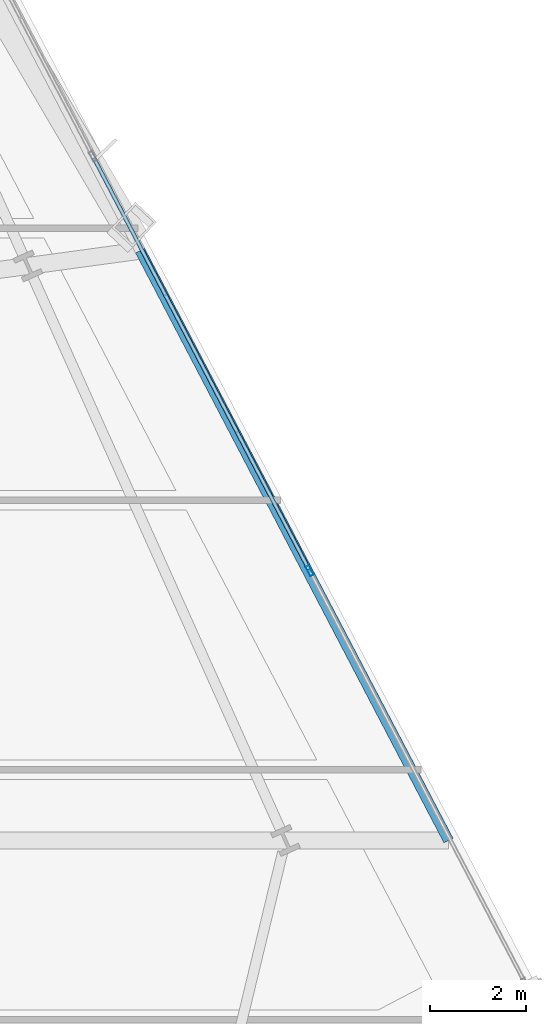
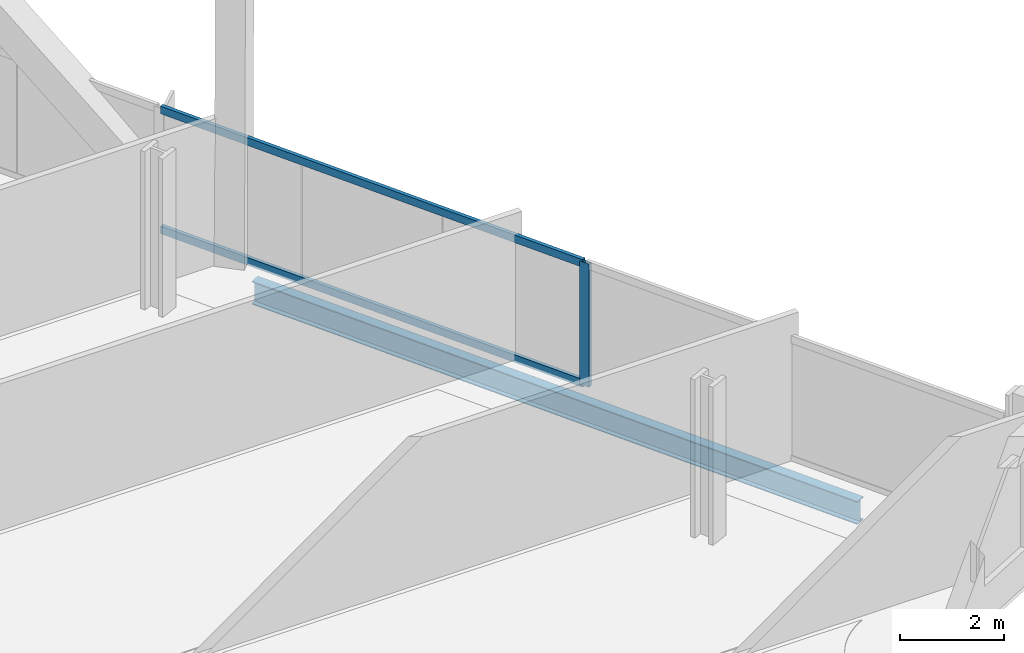
# One storey, part 20 of 33: 3 members, 1 beam, 1 element without a shape of its own.
"""IFC4 building model written with IfcOpenShell, lengths in metres."""

import ifcopenshell
import ifcopenshell.guid

model = None  # the IFC model being written
_history = None  # IfcOwnerHistory: only IFC2X3 demands one
_inside = {}  # id of a spatial element -> (the spatial element, [elements in it])
_under = {}  # id of a project, library or spatial element -> (it, [spatial elements below it])
_declared = {}  # id of a project -> (the project, [libraries it declares])
_typed = {}  # id of a type object -> (the type object, [elements of that type])
_made_of = {}  # id of a material, layer set ... -> (it, [elements and type objects made of it])


def new_model(schema):
    """Start an empty IFC model of exactly this schema.

    Asked for "IFC4X3", IfcOpenShell would pick the latest addendum, in which some entities
    have other attributes; the version numbers below select the first issue.
    IFC2X3 requires an IfcOwnerHistory on every rooted entity: one is made here for all.
    """
    global model, _history
    if schema == "IFC4X3":
        model = ifcopenshell.file(schema_version=(4, 3, 0, 0))
    else:
        model = ifcopenshell.file(schema=schema)
    _inside.clear()
    _under.clear()
    _declared.clear()
    _typed.clear()
    _made_of.clear()
    _history = None
    if model.schema == "IFC2X3":
        org = make("IfcOrganization", Name="unknown")
        user = make(
            "IfcPersonAndOrganization",
            ThePerson=make("IfcPerson", FamilyName="unknown"),
            TheOrganization=org,
        )
        app = make(
            "IfcApplication",
            ApplicationDeveloper=org,
            Version="unknown",
            ApplicationFullName="unknown",
            ApplicationIdentifier="unknown",
        )
        _history = make(
            "IfcOwnerHistory",
            OwningUser=user,
            OwningApplication=app,
            ChangeAction="ADDED",
            CreationDate=0,
        )
    return model


def make(cls, **values):
    """One entity of the class cls with the attributes given. An attribute that is None is left unset."""
    return model.create_entity(
        cls, **{name: value for name, value in values.items() if value is not None}
    )


def rooted(cls, **values):
    """An entity with a GlobalId (a new one), such as an element, a storey or a relation."""
    return make(cls, GlobalId=ifcopenshell.guid.new(), OwnerHistory=_history, **values)


def si_unit(unit_type, name, prefix=None):
    """IfcSIUnit, for example si_unit("LENGTHUNIT", "METRE", prefix="MILLI")."""
    return make("IfcSIUnit", UnitType=unit_type, Prefix=prefix, Name=name)


def assignment(units):
    """IfcUnitAssignment: the units of a project."""
    return None if units is None else make("IfcUnitAssignment", Units=units)


def point(xyz):
    """IfcCartesianPoint."""
    return None if xyz is None else make("IfcCartesianPoint", Coordinates=xyz)


def direction(xyz):
    """IfcDirection."""
    return None if xyz is None else make("IfcDirection", DirectionRatios=xyz)


def frame(location, z_axis=None, x_axis=None):
    """IfcAxis2Placement3D, a coordinate frame: its origin and axes. An axis left out is left unset."""
    return make(
        "IfcAxis2Placement3D",
        Location=point(location),
        Axis=direction(z_axis),
        RefDirection=direction(x_axis),
    )


def frame_2d(location, x_axis=None):
    """IfcAxis2Placement2D, a coordinate frame in the plane: its origin and x axis."""
    return make(
        "IfcAxis2Placement2D", Location=point(location), RefDirection=direction(x_axis)
    )


def origin():
    """The frame at (0, 0, 0) with its axes left unset."""
    return frame((0.0, 0.0, 0.0))


def origin_2d():
    """The frame at (0, 0) in the plane with its x axis left unset."""
    return frame_2d((0.0, 0.0))


def place(relative_to, where):
    """IfcLocalPlacement: puts the frame where relative to a parent placement (None: the world)."""
    return make(
        "IfcLocalPlacement", PlacementRelTo=relative_to, RelativePlacement=where
    )


def context(
    kind, dimensions, precision=None, world=None, true_north=None, identifier=None
):
    """IfcGeometricRepresentationContext, for example the 3D "Model" context."""
    return make(
        "IfcGeometricRepresentationContext",
        ContextIdentifier=identifier,
        ContextType=kind,
        CoordinateSpaceDimension=dimensions,
        Precision=precision,
        WorldCoordinateSystem=world,
        TrueNorth=true_north,
    )


def subcontext(parent, identifier, kind, view, scale=None):
    """IfcGeometricRepresentationSubContext, for example "Body" below "Model"."""
    return make(
        "IfcGeometricRepresentationSubContext",
        ContextIdentifier=identifier,
        ContextType=kind,
        ParentContext=parent,
        TargetScale=scale,
        TargetView=view,
    )


def project(units=None, contexts=None):
    """IfcProject with its units and contexts."""
    return rooted(
        "IfcProject",
        Name="project",
        RepresentationContexts=contexts,
        UnitsInContext=assignment(units),
    )


def spatial(cls, under=None, at=None, **own):
    """A site, building, storey or space (cls), placed at a placement, below another one or the project."""
    s = rooted(cls, ObjectPlacement=at, **own)
    if under is not None:
        _under.setdefault(under.id(), (under, []))[1].append(s)
    return s


def profile(cls, at=None, kind="AREA", **sizes):
    """A parametric profile (cls). Its sizes go by their IFC names, for example OverallWidth=200.0."""
    return make(cls, ProfileType=kind, Position=at, **sizes)


def hollow_rectangle(**sizes):
    """IfcRectangleHollowProfileDef."""
    return profile("IfcRectangleHollowProfileDef", **sizes)


def i_section(**sizes):
    """IfcIShapeProfileDef."""
    return profile("IfcIShapeProfileDef", **sizes)


def extrude(swept, where, along, depth):
    """IfcExtrudedAreaSolid: the profile swept, set in the frame where, extruded along a direction by depth."""
    return make(
        "IfcExtrudedAreaSolid",
        SweptArea=swept,
        Position=where,
        ExtrudedDirection=direction(along),
        Depth=depth,
    )


def shape(context_of_items, identifier, shape_type, items):
    """IfcShapeRepresentation: the items that make up one representation, for example the "Body"."""
    return make(
        "IfcShapeRepresentation",
        ContextOfItems=context_of_items,
        RepresentationIdentifier=identifier,
        RepresentationType=shape_type,
        Items=items,
    )


def material(Name=None, Category=None):
    """IfcMaterial."""
    return make("IfcMaterial", Name=Name, Category=Category)


def material_profile(
    of_material, cross_section, Name=None, Category=None, Priority=None
):
    """IfcMaterialProfile: a cross section and its material."""
    return make(
        "IfcMaterialProfile",
        Name=Name,
        Material=of_material,
        Profile=cross_section,
        Priority=Priority,
        Category=Category,
    )


def profile_set(profiles, Name=None, composite=None):
    """IfcMaterialProfileSet."""
    return make(
        "IfcMaterialProfileSet",
        Name=Name,
        MaterialProfiles=profiles,
        CompositeProfile=composite,
    )


def made_of(thing, what):
    """Note that an element or type object is made of a material, layer set ...; save() writes the relation."""
    if what is not None:
        _made_of.setdefault(what.id(), (what, []))[1].append(thing)
    return thing


def type_object(cls, material=None, **own):
    """A type object (cls), such as IfcWallType, which elements share."""
    return made_of(rooted(cls, **own), material)


def element(
    cls,
    number,
    at=None,
    inside=None,
    cuts=None,
    type_object=None,
    material=None,
    context=None,
    identifier="Body",
    shape_type=None,
    held_by="IfcProductDefinitionShape",
    body=None,
    shapes=None,
    **own,
):
    """One element of the class cls, such as IfcWall. Its Tag is "e" and its number.

    at: its placement. inside: the storey or other place that contains it. cuts: it is an
    opening in that element (IfcRelVoidsElement). A single representation is given by context,
    identifier, shape_type and body (its items); several are given by shapes. held_by: the class
    of the entity that holds the representations. save() writes the other relations.
    """
    e = rooted(cls, Tag="e%d" % number, ObjectPlacement=at, **own)
    if body is not None:
        shapes = [shape(context, identifier, shape_type, body)]
    if shapes is not None:
        e.Representation = make(held_by, Representations=shapes)
    if inside is not None:
        _inside.setdefault(inside.id(), (inside, []))[1].append(e)
    if cuts is not None:
        rooted(
            "IfcRelVoidsElement", RelatingBuildingElement=cuts, RelatedOpeningElement=e
        )
    if type_object is not None:
        _typed.setdefault(type_object.id(), (type_object, []))[1].append(e)
    return made_of(e, material)


def aggregate(whole, parts):
    """IfcRelAggregates: a whole, such as a stair, and the parts it consists of."""
    return rooted("IfcRelAggregates", RelatingObject=whole, RelatedObjects=parts)


def save(model, path):
    """Write the relations noted so far, then the file.

    IfcRelAggregates (storeys below a building ...), IfcRelContainedInSpatialStructure (elements
    in a storey), IfcRelDefinesByType, IfcRelAssociatesMaterial and IfcRelDeclares: one each for
    every whole, place, type object, material and project.
    """
    for whole, parts in _under.values():
        aggregate(whole, parts)
    for where, things in _inside.values():
        rooted(
            "IfcRelContainedInSpatialStructure",
            RelatedElements=things,
            RelatingStructure=where,
        )
    for kind, things in _typed.values():
        rooted("IfcRelDefinesByType", RelatedObjects=things, RelatingType=kind)
    for what, things in _made_of.values():
        rooted("IfcRelAssociatesMaterial", RelatedObjects=things, RelatingMaterial=what)
    for by, libraries in _declared.values():
        rooted("IfcRelDeclares", RelatingContext=by, RelatedDefinitions=libraries)
    model.write(path)


model = new_model("IFC4")

# Units and contexts
model_context = context("Model", 3, precision=1e-05, world=origin(), true_north=direction((0.0, 1.0)))
body_context = subcontext(model_context, "Body", "Model", "MODEL_VIEW")
ifc_project = project(units=[si_unit("LENGTHUNIT", "METRE"), si_unit("AREAUNIT", "SQUARE_METRE"), si_unit("VOLUMEUNIT", "CUBIC_METRE"), si_unit("PLANEANGLEUNIT", "RADIAN"), si_unit("MASSUNIT", "GRAM", prefix="KILO")], contexts=[model_context])

# Site, building, storey
site_placement = place(None, origin())
site = spatial("IfcSite", under=ifc_project, at=site_placement, CompositionType="ELEMENT")
building_placement = place(site_placement, origin())
building = spatial("IfcBuilding", under=site, at=building_placement, Name="Haldenkirk Collegiate Tower", CompositionType="ELEMENT")
storey_placement = place(building_placement, frame((0.0, 0.0, 120.449951171875)))
storey = spatial("IfcBuildingStorey", under=building, at=storey_placement, Name="L29", CompositionType="ELEMENT", Elevation=120.449951171875)

# Beam
ifc_material_1 = material(Name="Steel ASTM A992 Grade 50", Category="steel")
ifc_material_profile_1 = material_profile(ifc_material_1, i_section(OverallWidth=0.2119140625, OverallDepth=0.5439453125, WebThickness=0.01318359375, FlangeThickness=0.021240234375, at=origin_2d()), Name="W21X83")
ifc_profile_set_1 = profile_set([ifc_material_profile_1], Name="Steel ASTM A992 Grade 50")
beam_type = type_object("IfcBeamType", Name="BM-SPANDREL-W21X83", PredefinedType="SPANDREL", material=ifc_profile_set_1)
beam_placement = place(storey_placement, frame((65.996337890625, 23.727294921875, -0.572021484375), z_axis=(-0.46329516859, 0.886204032241, 0.0), x_axis=(-0.886204032241, -0.46329516859, 0.0)))
element("IfcBeam", 1, at=beam_placement, inside=storey, type_object=beam_type, Name="L29 outer facade edge beam 2A", PredefinedType="SPANDREL", context=body_context, shape_type="SweptSolid", body=[
    extrude(i_section(OverallWidth=0.2119140625, OverallDepth=0.5439453125, WebThickness=0.01318359375, FlangeThickness=0.021240234375, at=origin_2d()), origin(), (0.0, 0.0, 1.0), 13.831298828125),
])

# Curtain wall, members
ifc_material_2 = material(Name="Anodised architectural bronze aluminium", Category="aluminium")
curtain_wall_type = type_object("IfcCurtainWallType", Name="CW-SYS1-CONVEX-LOW", PredefinedType="USERDEFINED", material=ifc_material_2)
curtain_wall_placement = place(storey_placement, origin())
curtain_wall = element("IfcCurtainWall", 2, at=curtain_wall_placement, inside=storey, type_object=curtain_wall_type, Name="L29 Lower tower convex bronze-framed unitised curtain wall", ObjectType="UNITISED CURTAIN WALL", PredefinedType="USERDEFINED")
ifc_material_profile_2 = material_profile(ifc_material_2, hollow_rectangle(XDim=0.080078125, YDim=0.219970703125, WallThickness=0.0048828125, at=origin_2d()), Name="CW-MUL-1A")
ifc_profile_set_2 = profile_set([ifc_material_profile_2], Name="Anodised architectural bronze aluminium")
member_type_1 = type_object("IfcMemberType", Name="CW-MUL-1A", PredefinedType="MULLION", material=ifc_profile_set_2)
member_1_placement = place(storey_placement, frame((63.11083984375, 29.33349609375, 0.0), z_axis=(0.0, 0.0, 1.0), x_axis=(0.88620357746, 0.463296038507, 0.0)))
member_1 = element("IfcMember", 3, at=member_1_placement, type_object=member_type_1, Name="CW-1A mullion 4", PredefinedType="MULLION", context=body_context, shape_type="SweptSolid", body=[
    extrude(hollow_rectangle(XDim=0.080078125, YDim=0.219970703125, WallThickness=0.0048828125, at=origin_2d()), origin(), (0.0, 0.0, 1.0), 2.901123046875),
])
ifc_material_profile_3 = material_profile(ifc_material_2, hollow_rectangle(XDim=0.080078125, YDim=0.179931640625, WallThickness=0.0048828125, at=origin_2d()), Name="CW-TRN-1A")
ifc_profile_set_3 = profile_set([ifc_material_profile_3], Name="Anodised architectural bronze aluminium")
member_type_2 = type_object("IfcMemberType", Name="CW-TRN-1A", PredefinedType="USERDEFINED", material=ifc_profile_set_3)
member_2_placement = place(storey_placement, frame((58.626708984375, 37.91064453125, 0.0400390625), z_axis=(0.46330077788, -0.88620109976, 0.0), x_axis=(0.88620109976, 0.46330077788, 0.0)))
member_2 = element("IfcMember", 4, at=member_2_placement, type_object=member_type_2, Name="CW-1A transom 3.1", ObjectType="TRANSOM", PredefinedType="USERDEFINED", context=body_context, shape_type="SweptSolid", body=[
    extrude(hollow_rectangle(XDim=0.080078125, YDim=0.179931640625, WallThickness=0.0048828125, at=origin_2d()), origin(), (0.0, 0.0, 1.0), 9.638671875),
])
member_3_placement = place(storey_placement, frame((58.626708984375, 37.91064453125, 2.861083984375), z_axis=(0.46330077788, -0.88620109976, 0.0), x_axis=(0.88620109976, 0.46330077788, 0.0)))
member_3 = element("IfcMember", 5, at=member_3_placement, type_object=member_type_2, Name="CW-1A transom 3.2", ObjectType="TRANSOM", PredefinedType="USERDEFINED", context=body_context, shape_type="SweptSolid", body=[
    extrude(hollow_rectangle(XDim=0.080078125, YDim=0.179931640625, WallThickness=0.0048828125, at=origin_2d()), origin(), (0.0, 0.0, 1.0), 9.638671875),
])
aggregate(curtain_wall, [member_1, member_2, member_3])

save(model, "model.ifc")
